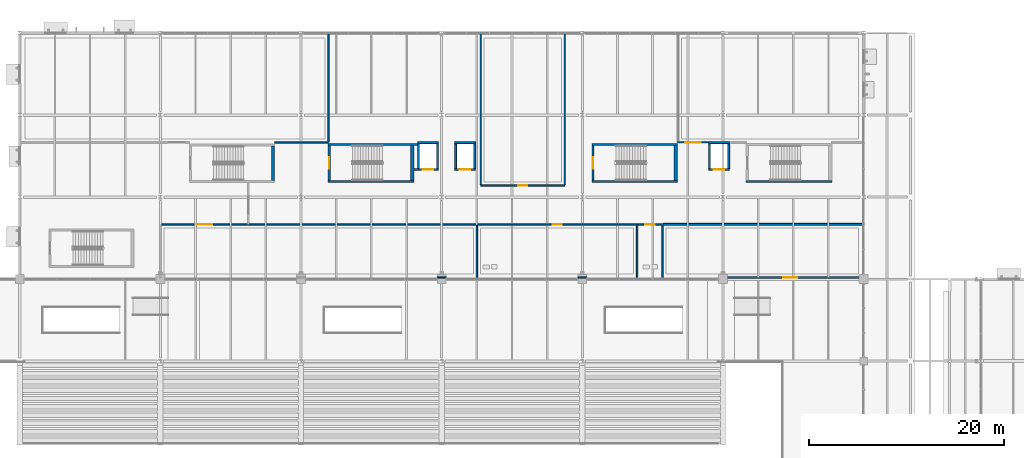
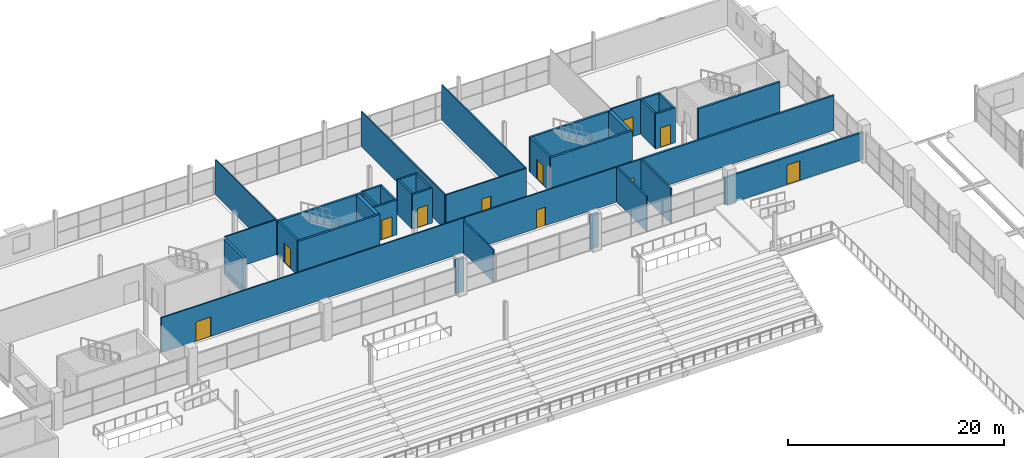
# One storey, part 138 of 161: 38 walls, 11 doors, 11 openings.
"""IFC4 building model written with IfcOpenShell, lengths in metres."""

from ifc_helpers import new_model, si_unit, direction, frame, frame_2d, origin, place, context, subcontext, project, spatial, rectangle, extrude, material, layer, layer_set, type_object, element, fill, save


model = new_model("IFC4")

# Units and contexts
model_context = context("Model", 3, precision=1e-05, world=origin(), true_north=direction((0.0, 1.0)))
body_context = subcontext(model_context, "Body", "Model", "MODEL_VIEW")
ifc_project = project(units=[si_unit("LENGTHUNIT", "METRE"), si_unit("AREAUNIT", "SQUARE_METRE"), si_unit("VOLUMEUNIT", "CUBIC_METRE"), si_unit("PLANEANGLEUNIT", "RADIAN"), si_unit("MASSUNIT", "GRAM", prefix="KILO"), si_unit("THERMODYNAMICTEMPERATUREUNIT", "KELVIN")], contexts=[model_context])

# Site, building, storey
site_placement = place(None, origin())
site = spatial("IfcSite", under=ifc_project, at=site_placement, CompositionType="ELEMENT")
building_placement = place(site_placement, origin())
building = spatial("IfcBuilding", under=site, at=building_placement, Name="Nduvali Passage Aquatics Centre", CompositionType="ELEMENT")
storey_placement = place(building_placement, frame((0.0, 0.0, 4.800048828125)))
storey = spatial("IfcBuildingStorey", under=building, at=storey_placement, Name="L01", CompositionType="ELEMENT", Elevation=4.800048828125)

# Wall, opening, door
ifc_material_1 = material(Name="Coral-stone masonry blockwork", Category="masonry")
ifc_layer_1 = layer(ifc_material_1, 0.199951171875, Name="Coral-stone masonry blockwork")
ifc_layer_set_1 = layer_set([ifc_layer_1], Name="Coral-stone masonry blockwork")
wall_type_1 = type_object("IfcWallType", Name="INT-WAL-COMP200", PredefinedType="PARTITIONING", material=ifc_layer_set_1)
wall_1_placement = place(storey_placement, frame((111.14990234375, 92.56005859375, 0.0), z_axis=(0.0, 0.0, 1.0), x_axis=(1.0, 0.0, 0.0)))
wall_1 = element("IfcWall", 1, at=wall_1_placement, inside=storey, type_object=wall_type_1, Name="L01 Fitness Rigging and Mat Equipment Store Partition 0152", PredefinedType="PARTITIONING", context=body_context, shape_type="SweptSolid", body=[
    extrude(rectangle(XDim=14.830078125, YDim=0.199951171875, at=frame_2d((7.4150390625, 0.0))), origin(), (0.0, 0.0, 1.0), 3.09521484375),
])
opening_1_placement = place(wall_1_placement, frame((6.64501953125, 0.0, 0.0)))
opening_1 = element("IfcOpeningElement", 2, at=opening_1_placement, cuts=wall_1, Name="Opening FD-P1", PredefinedType="OPENING", context=body_context, shape_type="SweptSolid", body=[
    extrude(rectangle(XDim=1.39990234375, YDim=2.199951171875, at=frame_2d((0.699951171875, 1.10009765625))), frame((0.0, 0.11474609375, 0.0), z_axis=(0.0, -1.0, 0.0), x_axis=(1.0, 0.0, 0.0)), (0.0, 0.0, 1.0), 0.229736328125),
])
ifc_material_2 = material(Name="Galvanised steel door", Category="steel")
door_type_1 = type_object("IfcDoorType", Name="INT-DR-PLNT140", OperationType="DOUBLE_DOOR_SINGLE_SWING", PredefinedType="DOOR", material=ifc_material_2)
door_1_placement = place(opening_1_placement, origin())
door_1 = element("IfcDoor", 3, at=door_1_placement, inside=storey, type_object=door_type_1, Name="L01 Fitness Rigging and Mat Equipment Store Door 0050", OperationType="DOUBLE_DOOR_SINGLE_SWING", OverallHeight=2.199951171875, OverallWidth=1.39990234375, PredefinedType="DOOR", context=body_context, shape_type="SweptSolid", body=[
    extrude(rectangle(XDim=1.39990234375, YDim=2.199951171875, at=frame_2d((0.699951171875, 1.10009765625))), frame((0.0, 0.02490234375, 0.0), z_axis=(0.0, -1.0, 0.0), x_axis=(1.0, 0.0, 0.0)), (0.0, 0.0, 1.0), 0.050048828125),
])
fill(opening_1, door_1)

# Walls
wall_2_placement = place(storey_placement, frame((105.47509765625, 98.0, 0.0), z_axis=(0.0, 0.0, 1.0), x_axis=(1.0, 0.0, 0.0)))
element("IfcWall", 4, at=wall_2_placement, inside=storey, type_object=wall_type_1, Name="L01 Fitness Rigging and Mat Equipment Store Partition 0153", PredefinedType="PARTITIONING", context=body_context, shape_type="SweptSolid", body=[
    extrude(rectangle(XDim=20.5048828125, YDim=0.199951171875, at=frame_2d((10.25244140625, 0.0))), origin(), (0.0, 0.0, 1.0), 3.93994140625),
])
ifc_material_3 = material(Name="Concrete C40/50", Category="concrete")
ifc_layer_2 = layer(ifc_material_3, 0.219970703125, Name="Concrete C40/50")
ifc_layer_set_2 = layer_set([ifc_layer_2], Name="Concrete C40/50")
wall_type_2 = type_object("IfcWallType", Name="INT-WAL-CORE220", PredefinedType="SOLIDWALL", material=ifc_layer_set_2)
wall_3_placement = place(storey_placement, frame((71.179931640625, 102.389892578125, 0.0), z_axis=(0.0, 0.0, 1.0), x_axis=(1.0, 0.0, 0.0)))
element("IfcWall", 5, at=wall_3_placement, inside=storey, type_object=wall_type_2, Name="L01 Stair ST1 Core Wall S", PredefinedType="SOLIDWALL", context=body_context, shape_type="SweptSolid", body=[
    extrude(rectangle(XDim=8.77001953125, YDim=0.219970703125, at=frame_2d((4.385009765625, 0.0))), origin(), (0.0, 0.0, 1.0), 3.93994140625),
])
wall_4_placement = place(storey_placement, frame((80.330078125, 106.199951171875, 0.0), z_axis=(0.0, 0.0, 1.0), x_axis=(-1.0, 0.0, 0.0)))
element("IfcWall", 6, at=wall_4_placement, inside=storey, type_object=wall_type_2, Name="L01 Stair ST1 Core Wall N", PredefinedType="SOLIDWALL", context=body_context, shape_type="SweptSolid", body=[
    extrude(rectangle(XDim=9.150146484375, YDim=0.219970703125, at=frame_2d((4.5751953125, 0.0))), origin(), (0.0, 0.0, 1.0), 3.93994140625),
])

# Wall, opening, door
wall_5_placement = place(storey_placement, frame((71.2900390625, 106.090087890625, 0.0), z_axis=(0.0, 0.0, 1.0), x_axis=(0.0, -1.0, 0.0)))
wall_5 = element("IfcWall", 7, at=wall_5_placement, inside=storey, type_object=wall_type_2, Name="L01 Stair ST1 Core Wall W", PredefinedType="SOLIDWALL", context=body_context, shape_type="SweptSolid", body=[
    extrude(rectangle(XDim=3.590087890625, YDim=0.219970703125, at=frame_2d((1.794921875, 0.0))), origin(), (0.0, 0.0, 1.0), 3.93994140625),
])
opening_2_placement = place(wall_5_placement, frame((1.195068359375, 0.0, 0.0)))
opening_2 = element("IfcOpeningElement", 8, at=opening_2_placement, cuts=wall_5, Name="Opening FD-ST2", PredefinedType="OPENING", context=body_context, shape_type="SweptSolid", body=[
    extrude(rectangle(XDim=1.199951171875, YDim=2.199951171875, at=frame_2d((0.60009765625, 1.10009765625))), frame((0.0, 0.125, 0.0), z_axis=(0.0, -1.0, 0.0), x_axis=(1.0, 0.0, 0.0)), (0.0, 0.0, 1.0), 0.249755859375),
])
door_type_2 = type_object("IfcDoorType", Name="INT-DR-ST120", OperationType="NOTDEFINED", PredefinedType="DOOR", material=ifc_material_2)
door_2_placement = place(opening_2_placement, frame((1.199951171875, 0.0, 0.0), z_axis=(0.0, 0.0, 1.0), x_axis=(-1.0, 0.0, 0.0)))
door_2 = element("IfcDoor", 9, at=door_2_placement, inside=storey, type_object=door_type_2, Name="L01 Stair ST1 Fire Lobby Door", OperationType="SINGLE_SWING_RIGHT", OverallHeight=2.199951171875, OverallWidth=1.199951171875, PredefinedType="DOOR", context=body_context, shape_type="SweptSolid", body=[
    extrude(rectangle(XDim=1.199951171875, YDim=2.199951171875, at=frame_2d((0.60009765625, 1.10009765625))), frame((0.0, 0.02490234375, 0.0), z_axis=(0.0, -1.0, 0.0), x_axis=(1.0, 0.0, 0.0)), (0.0, 0.0, 1.0), 0.050048828125),
])
fill(opening_2, door_2)

# Walls
for number, where, z_axis, x_axis, name in (
    (10, (113.97998046875, 102.389892578125, 0.0), (0.0, 0.0, 1.0), (1.0, 0.0, 0.0), "L01 Stair ST2 Core Wall S"),
    (11, (98.179931640625, 102.389892578125, 0.0), (0.0, 0.0, 1.0), (1.0, 0.0, 0.0), "L01 Stair ST11 Core Wall S"),
    (12, (106.949951171875, 106.199951171875, 0.0), (0.0, 0.0, 1.0), (-1.0, 0.0, 0.0), "L01 Stair ST11 Core Wall N"),
):
    element("IfcWall", number, at=place(storey_placement, frame(where, z_axis=z_axis, x_axis=x_axis)), inside=storey, type_object=wall_type_2, Name=name, PredefinedType="SOLIDWALL", context=body_context, shape_type="SweptSolid", body=[
        extrude(rectangle(XDim=8.77001953125, YDim=0.219970703125, at=frame_2d((4.385009765625, 0.0))), origin(), (0.0, 0.0, 1.0), 3.93994140625),
    ])

# Wall, opening, door
wall_6_placement = place(storey_placement, frame((98.2900390625, 106.090087890625, 0.0), z_axis=(0.0, 0.0, 1.0), x_axis=(0.0, -1.0, 0.0)))
wall_6 = element("IfcWall", 13, at=wall_6_placement, inside=storey, type_object=wall_type_2, Name="L01 Stair ST11 Core Wall W", PredefinedType="SOLIDWALL", context=body_context, shape_type="SweptSolid", body=[
    extrude(rectangle(XDim=3.590087890625, YDim=0.219970703125, at=frame_2d((1.794921875, 0.0))), origin(), (0.0, 0.0, 1.0), 3.93994140625),
])
opening_3_placement = place(wall_6_placement, frame((1.195068359375, 0.0, 0.0)))
opening_3 = element("IfcOpeningElement", 14, at=opening_3_placement, cuts=wall_6, Name="Opening FD-ST2", PredefinedType="OPENING", context=body_context, shape_type="SweptSolid", body=[
    extrude(rectangle(XDim=1.199951171875, YDim=2.199951171875, at=frame_2d((0.60009765625, 1.10009765625))), frame((0.0, 0.125, 0.0), z_axis=(0.0, -1.0, 0.0), x_axis=(1.0, 0.0, 0.0)), (0.0, 0.0, 1.0), 0.249755859375),
])
door_3_placement = place(opening_3_placement, frame((1.199951171875, 0.0, 0.0), z_axis=(0.0, 0.0, 1.0), x_axis=(-1.0, 0.0, 0.0)))
door_3 = element("IfcDoor", 15, at=door_3_placement, inside=storey, type_object=door_type_2, Name="L01 Stair ST11 Fire Lobby Door", OperationType="SINGLE_SWING_LEFT", OverallHeight=2.199951171875, OverallWidth=1.199951171875, PredefinedType="DOOR", context=body_context, shape_type="SweptSolid", body=[
    extrude(rectangle(XDim=1.199951171875, YDim=2.199951171875, at=frame_2d((0.60009765625, 1.10009765625))), frame((0.0, 0.02490234375, 0.0), z_axis=(0.0, -1.0, 0.0), x_axis=(1.0, 0.0, 0.0)), (0.0, 0.0, 1.0), 0.050048828125),
])
fill(opening_3, door_3)

# Walls
ifc_material_4 = material(Name="Gypsum acoustic stud partition")
ifc_layer_3 = layer(ifc_material_4, 0.139892578125, Name="Gypsum acoustic stud partition")
ifc_layer_set_3 = layer_set([ifc_layer_3], Name="Gypsum acoustic stud partition")
wall_type_3 = type_object("IfcWallType", Name="INT-WAL-PART140", PredefinedType="PARTITIONING", material=ifc_layer_set_3)
wall_7_placement = place(storey_placement, frame((65.699951171875, 106.39990234375, 0.0), z_axis=(0.0, 0.0, 1.0), x_axis=(1.0, 0.0, 0.0)))
element("IfcWall", 16, at=wall_7_placement, inside=storey, type_object=wall_type_3, Name="L01 Avenue Conditioning and Cardio Fitness Gym Partition 0137", PredefinedType="PARTITIONING", context=body_context, shape_type="SweptSolid", body=[
    extrude(rectangle(XDim=5.47998046875, YDim=0.139892578125, at=frame_2d((2.739990234375, 0.0))), origin(), (0.0, 0.0, 1.0), 3.93994140625),
])
wall_8_placement = place(storey_placement, frame((71.199951171875, 106.469970703125, 0.0), z_axis=(0.0, 0.0, 1.0), x_axis=(0.0, 1.0, 0.0)))
element("IfcWall", 17, at=wall_8_placement, inside=storey, type_object=wall_type_3, Name="L01 Avenue Conditioning and Cardio Fitness Gym Partition 0138", PredefinedType="PARTITIONING", context=body_context, shape_type="SweptSolid", body=[
    extrude(rectangle(XDim=11.110107421875, YDim=0.139892578125, at=frame_2d((5.55517578125, 0.0))), origin(), (0.0, 0.0, 1.0), 3.93994140625),
])

# Wall, opening, door
wall_9_placement = place(storey_placement, frame((86.800048828125, 102.0, 0.0), z_axis=(0.0, 0.0, 1.0), x_axis=(1.0, 0.0, 0.0)))
wall_9 = element("IfcWall", 18, at=wall_9_placement, inside=storey, type_object=wall_type_3, Name="L01 Strength and Free-Weights Conditioning Hall Partition 0139", PredefinedType="PARTITIONING", context=body_context, shape_type="SweptSolid", body=[
    extrude(rectangle(XDim=8.599853515625, YDim=0.139892578125, at=frame_2d((4.2998046875, 0.0))), origin(), (0.0, 0.0, 1.0), 3.93994140625),
])
opening_4_placement = place(wall_9_placement, frame((3.824951171875, 0.0, 0.0)))
opening_4 = element("IfcOpeningElement", 19, at=opening_4_placement, cuts=wall_9, Name="Opening ID2", PredefinedType="OPENING", context=body_context, shape_type="SweptSolid", body=[
    extrude(rectangle(XDim=0.949951171875, YDim=2.14990234375, at=frame_2d((0.47509765625, 1.074951171875))), frame((0.0, 0.0849609375, 0.0), z_axis=(0.0, -1.0, 0.0), x_axis=(1.0, 0.0, 0.0)), (0.0, 0.0, 1.0), 0.169677734375),
])
ifc_material_5 = material(Name="Timber solid-core door", Category="wood")
door_type_3 = type_object("IfcDoorType", Name="INT-DR-STD95", OperationType="NOTDEFINED", PredefinedType="DOOR", material=ifc_material_5)
door_4_placement = place(opening_4_placement, origin())
door_4 = element("IfcDoor", 20, at=door_4_placement, inside=storey, type_object=door_type_3, Name="L01 Strength and Free-Weights Conditioning Hall Door 0046", OperationType="SINGLE_SWING_LEFT", OverallHeight=2.14990234375, OverallWidth=0.949951171875, PredefinedType="DOOR", context=body_context, shape_type="SweptSolid", body=[
    extrude(rectangle(XDim=0.949951171875, YDim=2.14990234375, at=frame_2d((0.47509765625, 1.074951171875))), frame((0.0, 0.02490234375, 0.0), z_axis=(0.0, -1.0, 0.0), x_axis=(1.0, 0.0, 0.0)), (0.0, 0.0, 1.0), 0.050048828125),
])
fill(opening_4, door_4)

# Walls
for number, where, z_axis, x_axis, name in (
    (21, (86.800048828125, 102.070068359375, 0.0), (0.0, 0.0, 1.0), (0.0, 1.0, 0.0), "L01 Strength and Free-Weights Conditioning Hall Partition 0140"),
    (22, (95.39990234375, 102.070068359375, 0.0), (0.0, 0.0, 1.0), (0.0, 1.0, 0.0), "L01 Strength and Free-Weights Conditioning Hall Partition 0141"),
):
    element("IfcWall", number, at=place(storey_placement, frame(where, z_axis=z_axis, x_axis=x_axis)), inside=storey, type_object=wall_type_3, Name=name, PredefinedType="PARTITIONING", context=body_context, shape_type="SweptSolid", body=[
        extrude(rectangle(XDim=15.510009765625, YDim=0.139892578125, at=frame_2d((7.7548828125, 0.0))), origin(), (0.0, 0.0, 1.0), 3.93994140625),
    ])
wall_10_placement = place(storey_placement, frame((82.35009765625, 92.56005859375, 0.0), z_axis=(0.0, 0.0, 1.0), x_axis=(1.0, 0.0, 0.0)))
element("IfcWall", 23, at=wall_10_placement, inside=storey, type_object=wall_type_3, Name="L01 Pool-View Functional Training Zone Partition 0143", PredefinedType="PARTITIONING", context=body_context, shape_type="SweptSolid", body=[
    extrude(rectangle(XDim=0.89990234375, YDim=0.139892578125, at=frame_2d((0.449951171875, 0.0))), origin(), (0.0, 0.0, 1.0), 3.93994140625),
])

# Wall, opening, door
wall_11_placement = place(storey_placement, frame((54.02001953125, 98.0, 0.0), z_axis=(0.0, 0.0, 1.0), x_axis=(1.0, 0.0, 0.0)))
wall_11 = element("IfcWall", 24, at=wall_11_placement, inside=storey, type_object=wall_type_3, Name="L01 Pool-View Functional Training Zone Partition 0144", PredefinedType="PARTITIONING", context=body_context, shape_type="SweptSolid", body=[
    extrude(rectangle(XDim=32.3798828125, YDim=0.139892578125, at=frame_2d((16.18994140625, 0.0))), origin(), (0.0, 0.0, 1.0), 3.93994140625),
])
opening_5_placement = place(wall_11_placement, frame((3.7099609375, 0.0, 0.0)))
opening_5 = element("IfcOpeningElement", 25, at=opening_5_placement, cuts=wall_11, Name="Opening ID4", PredefinedType="OPENING", context=body_context, shape_type="SweptSolid", body=[
    extrude(rectangle(XDim=1.60009765625, YDim=2.199951171875, at=frame_2d((0.800048828125, 1.10009765625))), frame((0.0, 0.0849609375, 0.0), z_axis=(0.0, -1.0, 0.0), x_axis=(1.0, 0.0, 0.0)), (0.0, 0.0, 1.0), 0.169677734375),
])
ifc_material_6 = material(Name="Aluminium-framed glazed door", Category="aluminium")
door_type_4 = type_object("IfcDoorType", Name="INT-DR-DBL160", OperationType="DOUBLE_DOOR_SINGLE_SWING", PredefinedType="DOOR", material=ifc_material_6)
door_5_placement = place(opening_5_placement, frame((1.60009765625, 0.0, 0.0), z_axis=(0.0, 0.0, 1.0), x_axis=(-1.0, 0.0, 0.0)))
door_5 = element("IfcDoor", 26, at=door_5_placement, inside=storey, type_object=door_type_4, Name="L01 Pool-View Functional Training Zone Door 0047", OperationType="DOUBLE_DOOR_SINGLE_SWING", OverallHeight=2.199951171875, OverallWidth=1.60009765625, PredefinedType="DOOR", context=body_context, shape_type="SweptSolid", body=[
    extrude(rectangle(XDim=1.60009765625, YDim=2.199951171875, at=frame_2d((0.800048828125, 1.10009765625))), frame((0.0, 0.02490234375, 0.0), z_axis=(0.0, -1.0, 0.0), x_axis=(1.0, 0.0, 0.0)), (0.0, 0.0, 1.0), 0.050048828125),
])
fill(opening_5, door_5)

# Wall
wall_12_placement = place(storey_placement, frame((86.39990234375, 92.419921875, 0.0), z_axis=(0.0, 0.0, 1.0), x_axis=(0.0, 1.0, 0.0)))
element("IfcWall", 27, at=wall_12_placement, inside=storey, type_object=wall_type_3, Name="L01 Pool-View Functional Training Zone Partition 0146", PredefinedType="PARTITIONING", context=body_context, shape_type="SweptSolid", body=[
    extrude(rectangle(XDim=5.510009765625, YDim=0.139892578125, at=frame_2d((2.7548828125, 0.0))), origin(), (0.0, 0.0, 1.0), 3.666015625),
])

# Wall, opening, door
wall_13_placement = place(storey_placement, frame((106.949951171875, 106.39990234375, 0.0), z_axis=(0.0, 0.0, 1.0), x_axis=(1.0, 0.0, 0.0)))
wall_13 = element("IfcWall", 28, at=wall_13_placement, inside=storey, type_object=wall_type_3, Name="L01 Athletic Recovery Stretch Studio Partition 0154", PredefinedType="PARTITIONING", context=body_context, shape_type="SweptSolid", body=[
    extrude(rectangle(XDim=3.179931640625, YDim=0.139892578125, at=frame_2d((1.58984375, 0.0))), origin(), (0.0, 0.0, 1.0), 3.93994140625),
])
opening_6_placement = place(wall_13_placement, frame((0.794921875, 0.0, 0.0)))
opening_6 = element("IfcOpeningElement", 29, at=opening_6_placement, cuts=wall_13, Name="Opening ID4", PredefinedType="OPENING", context=body_context, shape_type="SweptSolid", body=[
    extrude(rectangle(XDim=1.60009765625, YDim=2.199951171875, at=frame_2d((0.800048828125, 1.10009765625))), frame((0.0, 0.0849609375, 0.0), z_axis=(0.0, -1.0, 0.0), x_axis=(1.0, 0.0, 0.0)), (0.0, 0.0, 1.0), 0.169677734375),
])
door_6_placement = place(opening_6_placement, frame((1.60009765625, 0.0, 0.0), z_axis=(0.0, 0.0, 1.0), x_axis=(-1.0, 0.0, 0.0)))
door_6 = element("IfcDoor", 30, at=door_6_placement, inside=storey, type_object=door_type_4, Name="L01 Athletic Recovery Stretch Studio Door 0051", OperationType="DOUBLE_DOOR_SINGLE_SWING", OverallHeight=2.199951171875, OverallWidth=1.60009765625, PredefinedType="DOOR", context=body_context, shape_type="SweptSolid", body=[
    extrude(rectangle(XDim=1.60009765625, YDim=2.199951171875, at=frame_2d((0.800048828125, 1.10009765625))), frame((0.0, 0.02490234375, 0.0), z_axis=(0.0, -1.0, 0.0), x_axis=(1.0, 0.0, 0.0)), (0.0, 0.0, 1.0), 0.050048828125),
])
fill(opening_6, door_6)

ifc_layer_4 = layer(ifc_material_3, 0.18994140625, Name="Concrete C40/50")
ifc_layer_set_4 = layer_set([ifc_layer_4], Name="Concrete C40/50")
wall_type_4 = type_object("IfcWallType", Name="INT-WAL-SHAFT200", PredefinedType="SOLIDWALL", material=ifc_layer_set_4)
wall_14_placement = place(storey_placement, frame((79.949951171875, 103.625, 0.0), z_axis=(0.0, 0.0, 1.0), x_axis=(1.0, 0.0, 0.0)))
wall_14 = element("IfcWall", 31, at=wall_14_placement, inside=storey, type_object=wall_type_4, Name="L01 Lift L1 Shaft Wall S", PredefinedType="SOLIDWALL", context=body_context, shape_type="SweptSolid", body=[
    extrude(rectangle(XDim=2.52001953125, YDim=0.18994140625, at=frame_2d((1.260009765625, 0.0))), origin(), (0.0, 0.0, 1.0), 3.93994140625),
])
opening_7_placement = place(wall_14_placement, frame((0.89990234375, 0.0, 0.0)))
opening_7 = element("IfcOpeningElement", 32, at=opening_7_placement, cuts=wall_14, Name="Opening LD1", PredefinedType="OPENING", context=body_context, shape_type="SweptSolid", body=[
    extrude(rectangle(XDim=1.10009765625, YDim=2.199951171875, at=frame_2d((0.550048828125, 1.10009765625))), frame((0.0, 0.10986328125, 0.0), z_axis=(0.0, -1.0, 0.0), x_axis=(1.0, 0.0, 0.0)), (0.0, 0.0, 1.0), 0.2197265625),
])
ifc_material_7 = material(Name="Stainless steel landing door", Category="steel")
door_type_5 = type_object("IfcDoorType", Name="INT-DR-LD1", OperationType="DOUBLE_DOOR_SLIDING", PredefinedType="DOOR", material=ifc_material_7)
door_7_placement = place(opening_7_placement, origin())
door_7 = element("IfcDoor", 33, at=door_7_placement, inside=storey, type_object=door_type_5, Name="L01 Lift L1 Sliding Landing Door LD1", OperationType="DOUBLE_DOOR_SLIDING", OverallHeight=2.199951171875, OverallWidth=1.10009765625, PredefinedType="DOOR", context=body_context, shape_type="SweptSolid", body=[
    extrude(rectangle(XDim=1.10009765625, YDim=2.199951171875, at=frame_2d((0.550048828125, 1.10009765625))), frame((0.0, 0.02490234375, 0.0), z_axis=(0.0, -1.0, 0.0), x_axis=(1.0, 0.0, 0.0)), (0.0, 0.0, 1.0), 0.050048828125),
])
fill(opening_7, door_7)

# Walls
wall_15_placement = place(storey_placement, frame((82.375, 103.719970703125, 0.0), z_axis=(0.0, 0.0, 1.0), x_axis=(0.0, 1.0, 0.0)))
element("IfcWall", 34, at=wall_15_placement, inside=storey, type_object=wall_type_4, Name="L01 Lift L1 Shaft Wall E", PredefinedType="SOLIDWALL", context=body_context, shape_type="SweptSolid", body=[
    extrude(rectangle(XDim=2.56005859375, YDim=0.18994140625, at=frame_2d((1.280029296875, 0.0))), origin(), (0.0, 0.0, 1.0), 3.93994140625),
])
wall_16_placement = place(storey_placement, frame((82.469970703125, 106.375, 0.0), z_axis=(0.0, 0.0, 1.0), x_axis=(-1.0, 0.0, 0.0)))
element("IfcWall", 35, at=wall_16_placement, inside=storey, type_object=wall_type_4, Name="L01 Lift L1 Shaft Wall N", PredefinedType="SOLIDWALL", context=body_context, shape_type="SweptSolid", body=[
    extrude(rectangle(XDim=2.139892578125, YDim=0.18994140625, at=frame_2d((1.06982421875, 0.0))), origin(), (0.0, 0.0, 1.0), 3.93994140625),
])
wall_17_placement = place(storey_placement, frame((80.425048828125, 106.280029296875, 0.0), z_axis=(0.0, 0.0, 1.0), x_axis=(0.0, -1.0, 0.0)))
element("IfcWall", 36, at=wall_17_placement, inside=storey, type_object=wall_type_4, Name="L01 Lift L1 Shaft Wall W", PredefinedType="SOLIDWALL", context=body_context, shape_type="SweptSolid", body=[
    extrude(rectangle(XDim=2.56005859375, YDim=0.18994140625, at=frame_2d((1.280029296875, 0.0))), origin(), (0.0, 0.0, 1.0), 3.93994140625),
])

# Wall, opening, door
wall_18_placement = place(storey_placement, frame((84.1298828125, 103.625, 0.0), z_axis=(0.0, 0.0, 1.0), x_axis=(1.0, 0.0, 0.0)))
wall_18 = element("IfcWall", 37, at=wall_18_placement, inside=storey, type_object=wall_type_4, Name="L01 Lift L2 Shaft Wall S", PredefinedType="SOLIDWALL", context=body_context, shape_type="SweptSolid", body=[
    extrude(rectangle(XDim=2.14013671875, YDim=0.18994140625, at=frame_2d((1.070068359375, 0.0))), origin(), (0.0, 0.0, 1.0), 3.93994140625),
])
opening_8_placement = place(wall_18_placement, frame((0.52001953125, 0.0, 0.0)))
opening_8 = element("IfcOpeningElement", 38, at=opening_8_placement, cuts=wall_18, Name="Opening LD2", PredefinedType="OPENING", context=body_context, shape_type="SweptSolid", body=[
    extrude(rectangle(XDim=1.10009765625, YDim=2.199951171875, at=frame_2d((0.550048828125, 1.10009765625))), frame((0.0, 0.10986328125, 0.0), z_axis=(0.0, -1.0, 0.0), x_axis=(1.0, 0.0, 0.0)), (0.0, 0.0, 1.0), 0.2197265625),
])
door_type_6 = type_object("IfcDoorType", Name="INT-DR-LD2", OperationType="DOUBLE_DOOR_SLIDING", PredefinedType="DOOR", material=ifc_material_7)
door_8_placement = place(opening_8_placement, origin())
door_8 = element("IfcDoor", 39, at=door_8_placement, inside=storey, type_object=door_type_6, Name="L01 Lift L2 Sliding Landing Door LD2", OperationType="DOUBLE_DOOR_SLIDING", OverallHeight=2.199951171875, OverallWidth=1.10009765625, PredefinedType="DOOR", context=body_context, shape_type="SweptSolid", body=[
    extrude(rectangle(XDim=1.10009765625, YDim=2.199951171875, at=frame_2d((0.550048828125, 1.10009765625))), frame((0.0, 0.02490234375, 0.0), z_axis=(0.0, -1.0, 0.0), x_axis=(1.0, 0.0, 0.0)), (0.0, 0.0, 1.0), 0.050048828125),
])
fill(opening_8, door_8)

# Walls
wall_19_placement = place(storey_placement, frame((86.175048828125, 103.719970703125, 0.0), z_axis=(0.0, 0.0, 1.0), x_axis=(0.0, 1.0, 0.0)))
element("IfcWall", 40, at=wall_19_placement, inside=storey, type_object=wall_type_4, Name="L01 Lift L2 Shaft Wall E", PredefinedType="SOLIDWALL", context=body_context, shape_type="SweptSolid", body=[
    extrude(rectangle(XDim=2.56005859375, YDim=0.18994140625, at=frame_2d((1.280029296875, 0.0))), origin(), (0.0, 0.0, 1.0), 3.93994140625),
])
wall_20_placement = place(storey_placement, frame((86.27001953125, 106.375, 0.0), z_axis=(0.0, 0.0, 1.0), x_axis=(-1.0, 0.0, 0.0)))
element("IfcWall", 41, at=wall_20_placement, inside=storey, type_object=wall_type_4, Name="L01 Lift L2 Shaft Wall N", PredefinedType="SOLIDWALL", context=body_context, shape_type="SweptSolid", body=[
    extrude(rectangle(XDim=2.14013671875, YDim=0.18994140625, at=frame_2d((1.070068359375, 0.0))), origin(), (0.0, 0.0, 1.0), 3.93994140625),
])
wall_21_placement = place(storey_placement, frame((84.22509765625, 106.280029296875, 0.0), z_axis=(0.0, 0.0, 1.0), x_axis=(0.0, -1.0, 0.0)))
element("IfcWall", 42, at=wall_21_placement, inside=storey, type_object=wall_type_4, Name="L01 Lift L2 Shaft Wall W", PredefinedType="SOLIDWALL", context=body_context, shape_type="SweptSolid", body=[
    extrude(rectangle(XDim=2.56005859375, YDim=0.18994140625, at=frame_2d((1.280029296875, 0.0))), origin(), (0.0, 0.0, 1.0), 3.93994140625),
])

# Wall, opening, door
wall_22_placement = place(storey_placement, frame((110.1298828125, 103.625, 0.0), z_axis=(0.0, 0.0, 1.0), x_axis=(1.0, 0.0, 0.0)))
wall_22 = element("IfcWall", 43, at=wall_22_placement, inside=storey, type_object=wall_type_4, Name="L01 Lift L3 Shaft Wall S", PredefinedType="SOLIDWALL", context=body_context, shape_type="SweptSolid", body=[
    extrude(rectangle(XDim=2.14013671875, YDim=0.18994140625, at=frame_2d((1.070068359375, 0.0))), origin(), (0.0, 0.0, 1.0), 3.93994140625),
])
opening_9_placement = place(wall_22_placement, frame((0.52001953125, 0.0, 0.0)))
opening_9 = element("IfcOpeningElement", 44, at=opening_9_placement, cuts=wall_22, Name="Opening LD3", PredefinedType="OPENING", context=body_context, shape_type="SweptSolid", body=[
    extrude(rectangle(XDim=1.10009765625, YDim=2.199951171875, at=frame_2d((0.550048828125, 1.10009765625))), frame((0.0, 0.10986328125, 0.0), z_axis=(0.0, -1.0, 0.0), x_axis=(1.0, 0.0, 0.0)), (0.0, 0.0, 1.0), 0.2197265625),
])
door_type_7 = type_object("IfcDoorType", Name="INT-DR-LD3", OperationType="DOUBLE_DOOR_SLIDING", PredefinedType="DOOR", material=ifc_material_7)
door_9_placement = place(opening_9_placement, origin())
door_9 = element("IfcDoor", 45, at=door_9_placement, inside=storey, type_object=door_type_7, Name="L01 Lift L3 Sliding Landing Door LD3", OperationType="DOUBLE_DOOR_SLIDING", OverallHeight=2.199951171875, OverallWidth=1.10009765625, PredefinedType="DOOR", context=body_context, shape_type="SweptSolid", body=[
    extrude(rectangle(XDim=1.10009765625, YDim=2.199951171875, at=frame_2d((0.550048828125, 1.10009765625))), frame((0.0, 0.02490234375, 0.0), z_axis=(0.0, -1.0, 0.0), x_axis=(1.0, 0.0, 0.0)), (0.0, 0.0, 1.0), 0.050048828125),
])
fill(opening_9, door_9)

# Walls
wall_23_placement = place(storey_placement, frame((112.175048828125, 103.719970703125, 0.0), z_axis=(0.0, 0.0, 1.0), x_axis=(0.0, 1.0, 0.0)))
element("IfcWall", 46, at=wall_23_placement, inside=storey, type_object=wall_type_4, Name="L01 Lift L3 Shaft Wall E", PredefinedType="SOLIDWALL", context=body_context, shape_type="SweptSolid", body=[
    extrude(rectangle(XDim=2.56005859375, YDim=0.18994140625, at=frame_2d((1.280029296875, 0.0))), origin(), (0.0, 0.0, 1.0), 3.93994140625),
])
wall_24_placement = place(storey_placement, frame((112.27001953125, 106.375, 0.0), z_axis=(0.0, 0.0, 1.0), x_axis=(-1.0, 0.0, 0.0)))
element("IfcWall", 47, at=wall_24_placement, inside=storey, type_object=wall_type_4, Name="L01 Lift L3 Shaft Wall N", PredefinedType="SOLIDWALL", context=body_context, shape_type="SweptSolid", body=[
    extrude(rectangle(XDim=2.14013671875, YDim=0.18994140625, at=frame_2d((1.070068359375, 0.0))), origin(), (0.0, 0.0, 1.0), 3.93994140625),
])
wall_25_placement = place(storey_placement, frame((110.22509765625, 106.280029296875, 0.0), z_axis=(0.0, 0.0, 1.0), x_axis=(0.0, -1.0, 0.0)))
element("IfcWall", 48, at=wall_25_placement, inside=storey, type_object=wall_type_4, Name="L01 Lift L3 Shaft Wall W", PredefinedType="SOLIDWALL", context=body_context, shape_type="SweptSolid", body=[
    extrude(rectangle(XDim=2.56005859375, YDim=0.18994140625, at=frame_2d((1.280029296875, 0.0))), origin(), (0.0, 0.0, 1.0), 3.93994140625),
])
ifc_layer_5 = layer(ifc_material_1, 0.14990234375, Name="Coral-stone masonry blockwork")
ifc_layer_set_5 = layer_set([ifc_layer_5], Name="Coral-stone masonry blockwork")
wall_type_5 = type_object("IfcWallType", Name="INT-WAL-WET150", PredefinedType="PLUMBINGWALL", material=ifc_layer_set_5)
wall_26_placement = place(storey_placement, frame((96.75, 92.56005859375, 0.0), z_axis=(0.0, 0.0, 1.0), x_axis=(1.0, 0.0, 0.0)))
element("IfcWall", 49, at=wall_26_placement, inside=storey, type_object=wall_type_5, Name="L01 Fitness Gym Toilets and Showers Partition 0147", PredefinedType="PLUMBINGWALL", context=body_context, shape_type="SweptSolid", body=[
    extrude(rectangle(XDim=0.89990234375, YDim=0.14990234375, at=frame_2d((0.449951171875, 0.0))), origin(), (0.0, 0.0, 1.0), 3.93994140625),
])

# Wall, opening, door
wall_27_placement = place(storey_placement, frame((86.469970703125, 98.0, 0.0), z_axis=(0.0, 0.0, 1.0), x_axis=(1.0, 0.0, 0.0)))
wall_27 = element("IfcWall", 50, at=wall_27_placement, inside=storey, type_object=wall_type_5, Name="L01 Fitness Gym Toilets and Showers Partition 0148", PredefinedType="PLUMBINGWALL", context=body_context, shape_type="SweptSolid", body=[
    extrude(rectangle(XDim=16.330078125, YDim=0.14990234375, at=frame_2d((8.1650390625, 0.0))), origin(), (0.0, 0.0, 1.0), 3.93994140625),
])
opening_10_placement = place(wall_27_placement, frame((7.68994140625, 0.0, 0.0)))
opening_10 = element("IfcOpeningElement", 51, at=opening_10_placement, cuts=wall_27, Name="Opening ID3", PredefinedType="OPENING", context=body_context, shape_type="SweptSolid", body=[
    extrude(rectangle(XDim=0.949951171875, YDim=2.10009765625, at=frame_2d((0.47509765625, 1.050048828125))), frame((0.0, 0.08984375, 0.0), z_axis=(0.0, -1.0, 0.0), x_axis=(1.0, 0.0, 0.0)), (0.0, 0.0, 1.0), 0.1796875),
])
door_type_8 = type_object("IfcDoorType", Name="INT-DR-WC95", OperationType="NOTDEFINED", PredefinedType="DOOR", material=ifc_material_5)
door_10_placement = place(opening_10_placement, origin())
door_10 = element("IfcDoor", 52, at=door_10_placement, inside=storey, type_object=door_type_8, Name="L01 Fitness Gym Toilets and Showers Door 0048", OperationType="SINGLE_SWING_LEFT", OverallHeight=2.10009765625, OverallWidth=0.949951171875, PredefinedType="DOOR", context=body_context, shape_type="SweptSolid", body=[
    extrude(rectangle(XDim=0.949951171875, YDim=2.10009765625, at=frame_2d((0.47509765625, 1.050048828125))), frame((0.0, 0.02490234375, 0.0), z_axis=(0.0, -1.0, 0.0), x_axis=(1.0, 0.0, 0.0)), (0.0, 0.0, 1.0), 0.050048828125),
])
fill(opening_10, door_10)

# Wall
wall_28_placement = place(storey_placement, frame((102.800048828125, 92.419921875, 0.0), z_axis=(0.0, 0.0, 1.0), x_axis=(0.0, 1.0, 0.0)))
element("IfcWall", 53, at=wall_28_placement, inside=storey, type_object=wall_type_5, Name="L01 Fitness Gym Toilets and Showers Partition 0149", PredefinedType="PLUMBINGWALL", context=body_context, shape_type="SweptSolid", body=[
    extrude(rectangle(XDim=5.505126953125, YDim=0.14990234375, at=frame_2d((2.75244140625, 0.0))), origin(), (0.0, 0.0, 1.0), 3.93994140625),
])

# Wall, opening, door
wall_29_placement = place(storey_placement, frame((102.875, 98.0, 0.0), z_axis=(0.0, 0.0, 1.0), x_axis=(1.0, 0.0, 0.0)))
wall_29 = element("IfcWall", 54, at=wall_29_placement, inside=storey, type_object=wall_type_5, Name="L01 Fitness Gym Accessible WC Partition 0150", PredefinedType="PLUMBINGWALL", context=body_context, shape_type="SweptSolid", body=[
    extrude(rectangle(XDim=2.52490234375, YDim=0.14990234375, at=frame_2d((1.262451171875, 0.0))), origin(), (0.0, 0.0, 1.0), 3.93994140625),
])
opening_11_placement = place(wall_29_placement, frame((0.787109375, 0.0, 0.0)))
opening_11 = element("IfcOpeningElement", 55, at=opening_11_placement, cuts=wall_29, Name="Opening ID3", PredefinedType="OPENING", context=body_context, shape_type="SweptSolid", body=[
    extrude(rectangle(XDim=0.949951171875, YDim=2.10009765625, at=frame_2d((0.47509765625, 1.050048828125))), frame((0.0, 0.08984375, 0.0), z_axis=(0.0, -1.0, 0.0), x_axis=(1.0, 0.0, 0.0)), (0.0, 0.0, 1.0), 0.1796875),
])
door_11_placement = place(opening_11_placement, frame((0.949951171875, 0.0, 0.0), z_axis=(0.0, 0.0, 1.0), x_axis=(-1.0, 0.0, 0.0)))
door_11 = element("IfcDoor", 56, at=door_11_placement, inside=storey, type_object=door_type_8, Name="L01 Fitness Gym Accessible WC Door 0049", OperationType="SINGLE_SWING_RIGHT", OverallHeight=2.10009765625, OverallWidth=0.949951171875, PredefinedType="DOOR", context=body_context, shape_type="SweptSolid", body=[
    extrude(rectangle(XDim=0.949951171875, YDim=2.10009765625, at=frame_2d((0.47509765625, 1.050048828125))), frame((0.0, 0.02490234375, 0.0), z_axis=(0.0, -1.0, 0.0), x_axis=(1.0, 0.0, 0.0)), (0.0, 0.0, 1.0), 0.050048828125),
])
fill(opening_11, door_11)

# Walls
wall_30_placement = place(storey_placement, frame((105.39990234375, 92.419921875, 0.0), z_axis=(0.0, 0.0, 1.0), x_axis=(0.0, 1.0, 0.0)))
element("IfcWall", 57, at=wall_30_placement, inside=storey, type_object=wall_type_5, Name="L01 Fitness Gym Accessible WC Partition 0151", PredefinedType="PLUMBINGWALL", context=body_context, shape_type="SweptSolid", body=[
    extrude(rectangle(XDim=5.505126953125, YDim=0.14990234375, at=frame_2d((2.75244140625, 0.0))), origin(), (0.0, 0.0, 1.0), 3.93994140625),
])
ifc_layer_6 = layer(ifc_material_3, 0.300048828125, Name="Concrete C40/50")
ifc_layer_set_6 = layer_set([ifc_layer_6], Name="Concrete C40/50")
wall_type_6 = type_object("IfcWallType", Name="STR-WAL-SHR300", PredefinedType="SHEAR", material=ifc_layer_set_6)
wall_31_placement = place(storey_placement, frame((65.550048828125, 102.5, 0.0), z_axis=(0.0, 0.0, 1.0), x_axis=(0.0, 1.0, 0.0)))
element("IfcWall", 58, at=wall_31_placement, inside=storey, type_object=wall_type_6, Name="L01 Stair ST3 Core Shear Wall E", PredefinedType="SHEAR", context=body_context, shape_type="SweptSolid", body=[
    extrude(rectangle(XDim=3.510009765625, YDim=0.300048828125, at=frame_2d((1.7548828125, 0.0))), origin(), (0.0, 0.0, 1.0), 3.93994140625),
])
ifc_layer_7 = layer(ifc_material_3, 0.35009765625, Name="Concrete C40/50")
ifc_layer_set_7 = layer_set([ifc_layer_7], Name="Concrete C40/50")
wall_type_7 = type_object("IfcWallType", Name="STR-WAL-SHR350", PredefinedType="SHEAR", material=ifc_layer_set_7)
for number, where, z_axis, x_axis, name in (
    (59, (79.77490234375, 102.5, 0.0), (0.0, 0.0, 1.0), (0.0, 1.0, 0.0), "L01 Stair ST1 Core Shear Wall E"),
    (60, (106.77490234375, 102.5, 0.0), (0.0, 0.0, 1.0), (0.0, 1.0, 0.0), "L01 Stair ST11 Core Shear Wall E"),
):
    element("IfcWall", number, at=place(storey_placement, frame(where, z_axis=z_axis, x_axis=x_axis)), inside=storey, type_object=wall_type_7, Name=name, PredefinedType="SHEAR", context=body_context, shape_type="SweptSolid", body=[
        extrude(rectangle(XDim=3.590087890625, YDim=0.35009765625, at=frame_2d((1.794921875, 0.0))), origin(), (0.0, 0.0, 1.0), 3.93994140625),
    ])

save(model, "model.ifc")
